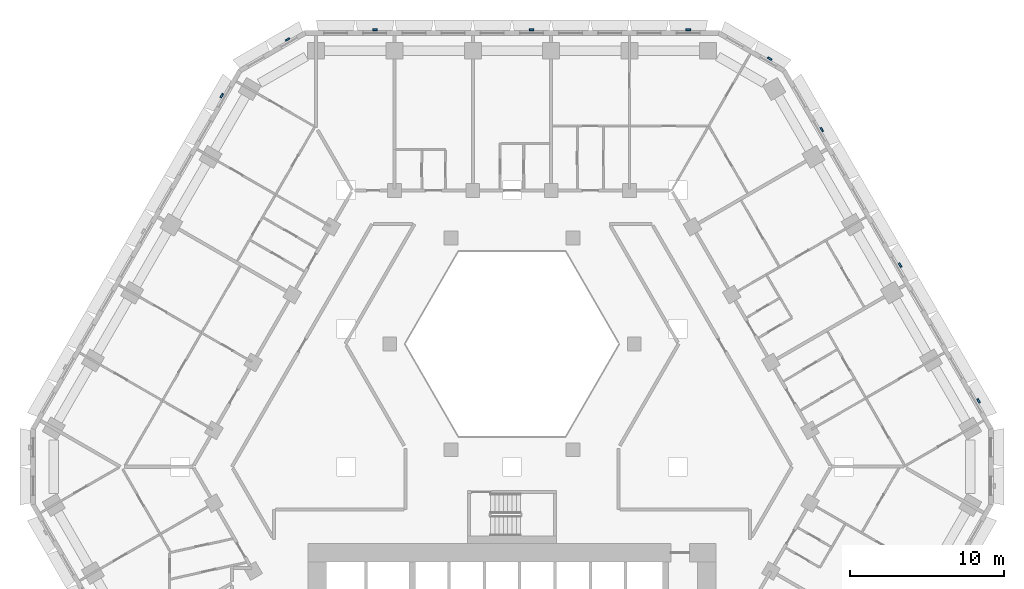
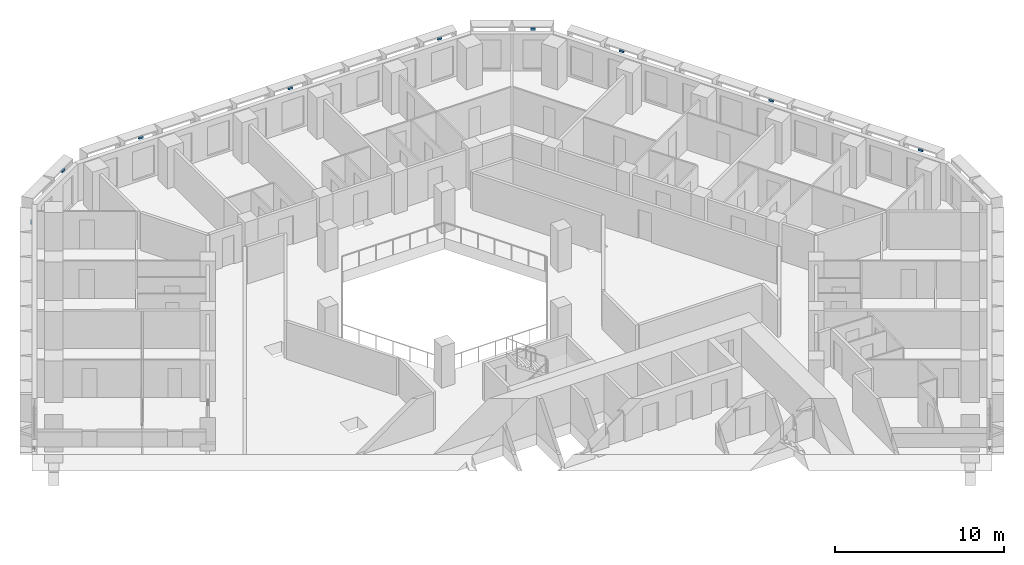
# One storey, part 15 of 21: 9 discrete accessories.
"""IFC4 building model written with IfcOpenShell, lengths in metres."""

from ifc_helpers import new_model, si_unit, direction, frame, origin, place, context, subcontext, project, spatial, polyline, outline, extrude, source, transform, mapped, material, type_object, type_shapes, element, save


model = new_model("IFC4")

# Units and contexts
model_context = context("Model", 3, precision=1e-05, world=origin(), true_north=direction((0.0, 1.0)))
body_context = subcontext(model_context, "Body", "Model", "MODEL_VIEW")
ifc_project = project(units=[si_unit("LENGTHUNIT", "METRE"), si_unit("AREAUNIT", "SQUARE_METRE"), si_unit("VOLUMEUNIT", "CUBIC_METRE"), si_unit("PLANEANGLEUNIT", "RADIAN"), si_unit("MASSUNIT", "GRAM", prefix="KILO")], contexts=[model_context])

# Site, building, storey
site_placement = place(None, origin())
site = spatial("IfcSite", under=ifc_project, at=site_placement, CompositionType="ELEMENT")
building_placement = place(site_placement, origin())
building = spatial("IfcBuilding", under=site, at=building_placement, Name="Beryl Residences", CompositionType="ELEMENT")
storey_placement = place(building_placement, frame((0.0, 0.0, 23.39990234375)))
storey = spatial("IfcBuildingStorey", under=building, at=storey_placement, Name="L06", CompositionType="ELEMENT", Elevation=23.39990234375)

# Discrete accessories
ifc_material = material(Name="Steel S355", Category="steel")
discrete_accessory_type = type_object("IfcDiscreteAccessoryType", Name="BR1 frame bracket 300 x 120 x 150 mm", PredefinedType="BRACKET", material=ifc_material)
shared_shape = source(origin(), body_context, "Body", "SweptSolid", [
    extrude(outline(polyline([(-0.14990234375, 0.0), (0.14990234375, 0.0), (0.14990234375, 0.1201171875), (-0.14990234375, 0.1201171875), (-0.14990234375, 0.0)])), origin(), (0.0, 0.0, 1.0), 0.14990234375),
])
type_shapes(discrete_accessory_type, [shared_shape])
for number, where, z_axis, x_axis, name in (
    (1, (11.48291015625, 28.39990234375, 2.75), (0.0, 0.0, 1.0), (1.0, 0.0, 0.0), "BR1 bracket L06 N 1"),
    (2, (1.27490234375, 28.39990234375, 2.75), (0.0, 0.0, 1.0), (1.0, 0.0, 0.0), "BR1 bracket L06 N 5"),
    (3, (-8.93310546875, 28.39990234375, 2.75), (0.0, 0.0, 1.0), (1.0, 0.0, 0.0), "BR1 bracket L06 N 9"),
    (4, (-14.593017578125, 27.77490234375, 2.75), (0.0, 0.0, 1.0), (0.866025403784, 0.5, 0.0), "BR1 bracket L06 N-NW 1"),
    (5, (-18.85400390625, 24.14501953125, 2.75), (0.0, 0.0, 1.0), (0.5, 0.866025403784, 0.0), "BR1 bracket L06 NW 1"),
    (6, (30.3359375, 4.2548828125, 2.75), (0.0, 0.0, 1.0), (0.5, -0.866025403784, 0.0), "BR1 bracket L06 NE 1"),
    (7, (25.23193359375, 13.095947265625, 2.75), (0.0, 0.0, 1.0), (0.5, -0.866025403784, 0.0), "BR1 bracket L06 NE 5"),
    (8, (20.12890625, 21.93603515625, 2.75), (0.0, 0.0, 1.0), (0.5, -0.866025403784, 0.0), "BR1 bracket L06 NE 9"),
    (9, (16.758056640625, 26.52490234375, 2.75), (0.0, 0.0, 1.0), (0.866025403784, -0.5, 0.0), "BR1 bracket L06 NE-N 1"),
):
    element("IfcDiscreteAccessory", number, at=place(storey_placement, frame(where, z_axis=z_axis, x_axis=x_axis)), inside=storey, type_object=discrete_accessory_type, Name=name, PredefinedType="BRACKET", context=body_context, shape_type="MappedRepresentation", body=[
        mapped(shared_shape, transform((0.0, 0.0, 0.0))),
    ])

save(model, "model.ifc")
